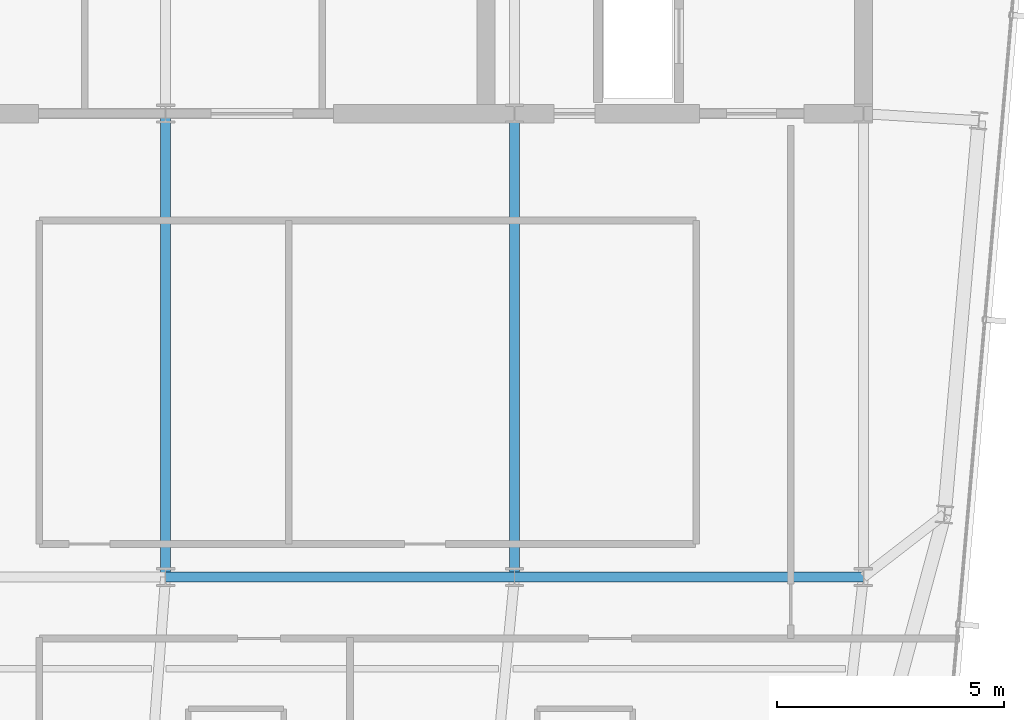
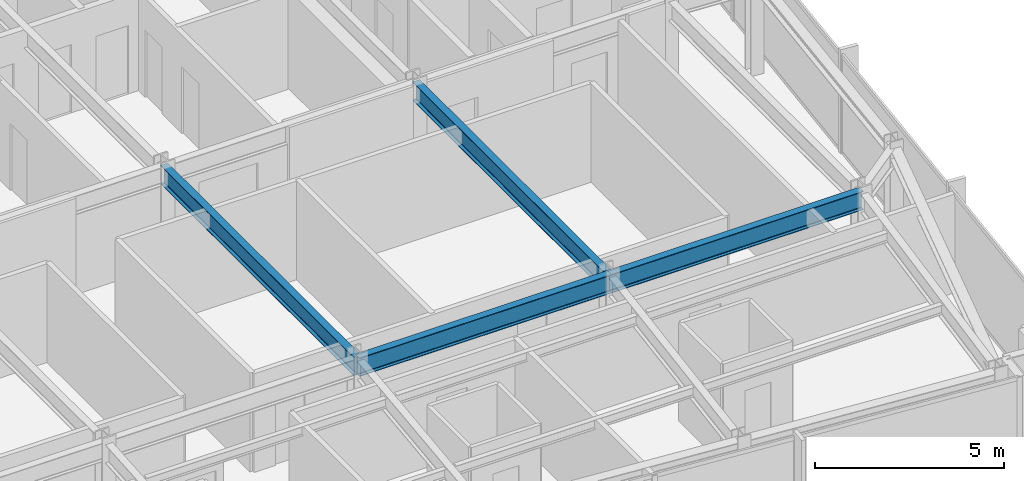
# One storey, part 15 of 33: 4 beams.
"""IFC4 building model written with IfcOpenShell, lengths in metres."""

from ifc_helpers import new_model, si_unit, direction, frame, origin, origin_2d, place, context, subcontext, project, spatial, i_section, extrude, material, material_profile, profile_set, type_object, element, save


model = new_model("IFC4")

# Units and contexts
model_context = context("Model", 3, precision=1e-05, world=origin(), true_north=direction((0.0, 1.0)))
body_context = subcontext(model_context, "Body", "Model", "MODEL_VIEW")
ifc_project = project(units=[si_unit("LENGTHUNIT", "METRE"), si_unit("AREAUNIT", "SQUARE_METRE"), si_unit("VOLUMEUNIT", "CUBIC_METRE"), si_unit("PLANEANGLEUNIT", "RADIAN"), si_unit("MASSUNIT", "GRAM", prefix="KILO")], contexts=[model_context])

# Site, building, storey
site_placement = place(None, origin())
site = spatial("IfcSite", under=ifc_project, at=site_placement, CompositionType="ELEMENT")
building_placement = place(site_placement, origin())
building = spatial("IfcBuilding", under=site, at=building_placement, Name="Yelkora Congress Tower", CompositionType="ELEMENT")
storey_placement = place(building_placement, frame((0.0, 0.0, 289.699951171875)))
storey = spatial("IfcBuildingStorey", under=building, at=storey_placement, Name="L81", CompositionType="ELEMENT", Elevation=289.699951171875)

# Beams
ifc_material = material(Name="Steel S355J2", Category="steel")
ifc_material_profile = material_profile(ifc_material, i_section(OverallWidth=0.219970703125, OverallDepth=0.60009765625, WebThickness=0.011962890625, FlangeThickness=0.01904296875, FilletRadius=0.02392578125, at=origin_2d()), Name="IPE 600")
ifc_profile_set = profile_set([ifc_material_profile], Name="Steel S355J2")
beam_type = type_object("IfcBeamType", Name="BM-GIRD-IPE600", PredefinedType="BEAM", material=ifc_profile_set)
beam_1_placement = place(storey_placement, frame((38.39990234375, 25.199951171875, 2.880126953125), z_axis=(1.0, 0.0, 0.0), x_axis=(0.0, 1.0, 0.0)))
element("IfcBeam", 1, at=beam_1_placement, inside=storey, type_object=beam_type, Name="L81 Spine Grid D Girder 3", PredefinedType="BEAM", context=body_context, shape_type="SweptSolid", body=[
    extrude(i_section(OverallWidth=0.219970703125, OverallDepth=0.60009765625, WebThickness=0.011962890625, FlangeThickness=0.01904296875, FilletRadius=0.02392578125, at=origin_2d()), origin(), (0.0, 0.0, 1.0), 7.68017578125),
])
beam_2_placement = place(storey_placement, frame((46.080078125, 25.199951171875, 2.880126953125), z_axis=(1.0, 0.0, 0.0), x_axis=(0.0, 1.0, 0.0)))
element("IfcBeam", 2, at=beam_2_placement, inside=storey, type_object=beam_type, Name="L81 Spine Grid D Girder 4", PredefinedType="BEAM", context=body_context, shape_type="SweptSolid", body=[
    extrude(i_section(OverallWidth=0.219970703125, OverallDepth=0.60009765625, WebThickness=0.011962890625, FlangeThickness=0.01904296875, FilletRadius=0.02392578125, at=origin_2d()), origin(), (0.0, 0.0, 1.0), 7.679931640625),
])
for number, where, z_axis, x_axis, name in (
    (3, (38.39990234375, 25.199951171875, 2.880126953125), (0.0, 1.0, 0.0), (-1.0, 0.0, 0.0), "L81 Core Tie Girder MC-D3"),
    (4, (46.080078125, 25.199951171875, 2.880126953125), (0.0, 1.0, 0.0), (-1.0, 0.0, 0.0), "L81 Core Tie Girder MC-D4"),
):
    element("IfcBeam", number, at=place(storey_placement, frame(where, z_axis=z_axis, x_axis=x_axis)), inside=storey, type_object=beam_type, Name=name, PredefinedType="BEAM", context=body_context, shape_type="SweptSolid", body=[
        extrude(i_section(OverallWidth=0.219970703125, OverallDepth=0.60009765625, WebThickness=0.011962890625, FlangeThickness=0.01904296875, FilletRadius=0.02392578125, at=origin_2d()), origin(), (0.0, 0.0, 1.0), 10.199951171875),
    ])

save(model, "model.ifc")
